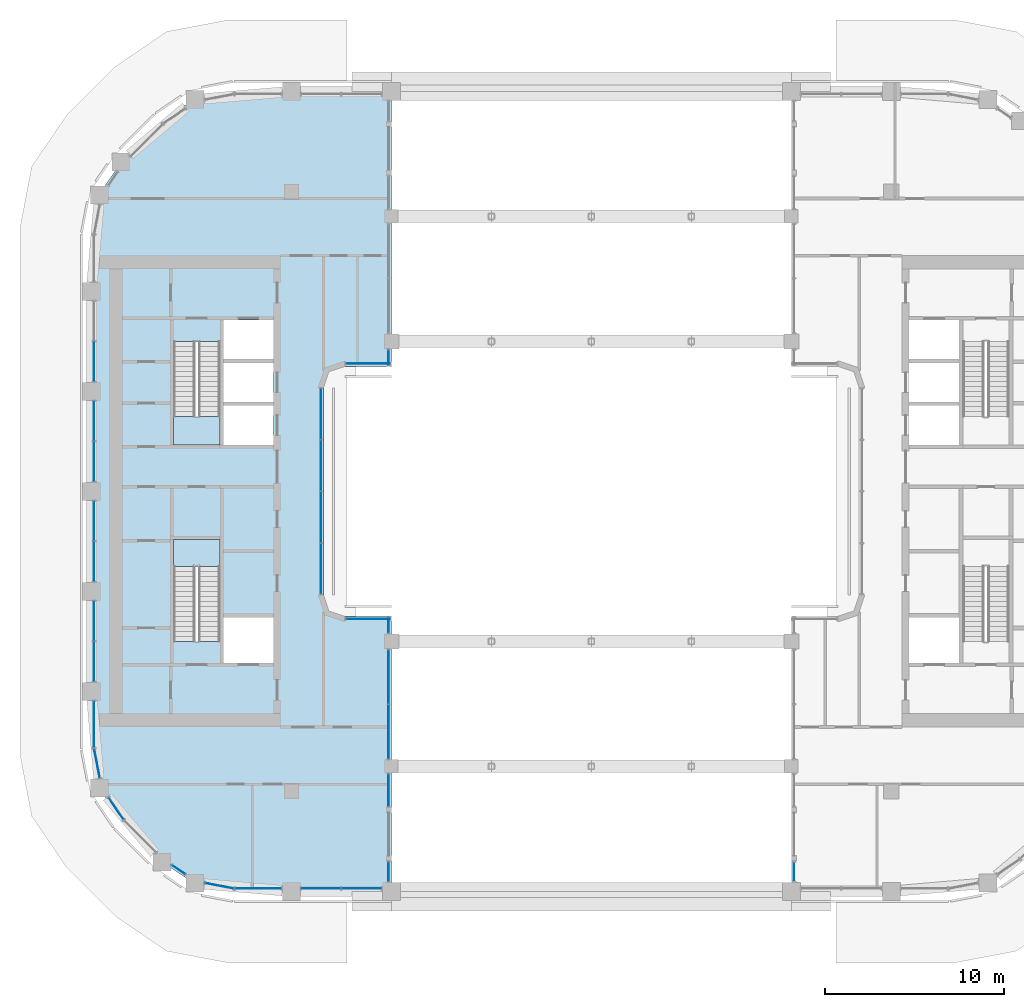
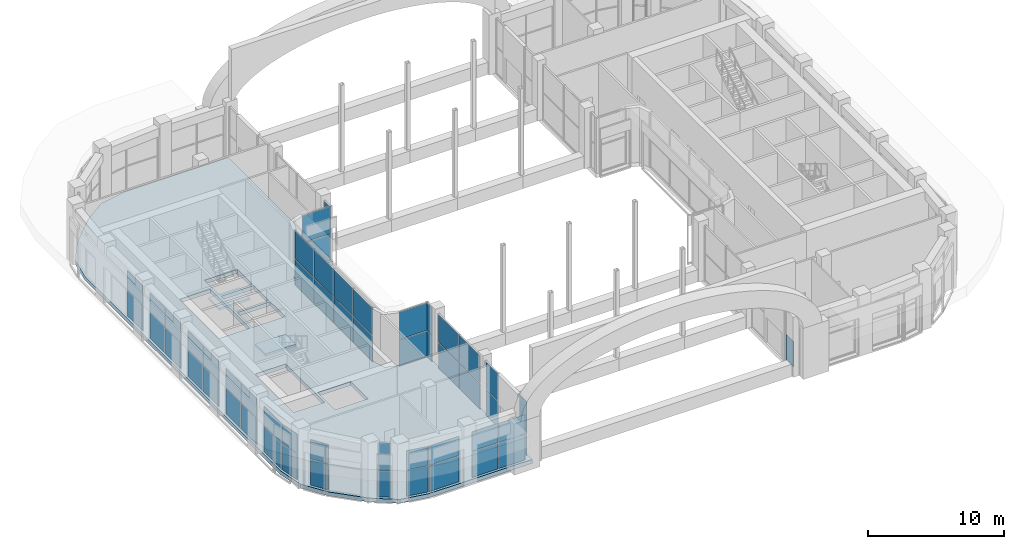
# One storey, part 12 of 28: 55 plates, 3 slabs, 22 elements without a shape of their own.
"""IFC4 building model written with IfcOpenShell, lengths in metres."""

from ifc_helpers import new_model, si_unit, direction, frame, origin, origin_2d, place, context, subcontext, project, spatial, polyline, rectangle, outline, extrude, material, layer, layer_set, type_object, element, aggregate, save


model = new_model("IFC4")

# Units and contexts
model_context = context("Model", 3, precision=1e-05, world=origin(), true_north=direction((0.0, 1.0)))
body_context = subcontext(model_context, "Body", "Model", "MODEL_VIEW")
ifc_project = project(units=[si_unit("LENGTHUNIT", "METRE"), si_unit("AREAUNIT", "SQUARE_METRE"), si_unit("VOLUMEUNIT", "CUBIC_METRE"), si_unit("PLANEANGLEUNIT", "RADIAN"), si_unit("MASSUNIT", "GRAM", prefix="KILO")], contexts=[model_context])

# Site, building, storey
site_placement = place(None, origin())
site = spatial("IfcSite", under=ifc_project, at=site_placement, CompositionType="ELEMENT")
building_placement = place(site_placement, origin())
building = spatial("IfcBuilding", under=site, at=building_placement, Name="Kiln Ring Residences", CompositionType="ELEMENT")
storey_placement = place(building_placement, frame((0.0, 0.0, 178.10009765625)))
storey = spatial("IfcBuildingStorey", under=building, at=storey_placement, Name="L46", CompositionType="ELEMENT", Elevation=178.10009765625)

# Stair, slab
ifc_material_1 = material(Name="Concrete C40/50", Category="concrete")
stair_type = type_object("IfcStairType", Name="CORE-STAIR", PredefinedType="HALF_TURN_STAIR", material=ifc_material_1)
placement_1 = place(storey_placement, origin())
stair_1 = element("IfcStair", 1, at=placement_1, inside=storey, type_object=stair_type, Name="L46 stair W-STN", PredefinedType="HALF_TURN_STAIR")
ifc_material_2 = material(Name="Concrete C40/50", Category="concrete")
ifc_layer_1 = layer(ifc_material_2, 0.199951171875)
ifc_layer_set_1 = layer_set([ifc_layer_1], Name="CORE-STAIR-LANDING")
slab_type_1 = type_object("IfcSlabType", Name="CORE-STAIR-LANDING", PredefinedType="LANDING", material=ifc_layer_set_1)
placement_2 = place(storey_placement, frame((0.0, 0.0, 2.5)))
slab_1 = element("IfcSlab", 2, at=placement_2, type_object=slab_type_1, Name="W-STN landing 1", PredefinedType="LANDING", context=body_context, shape_type="SweptSolid", body=[
    extrude(outline(polyline([(-23.39990234375, 4.199951171875), (-23.39990234375, 2.60009765625), (-20.800048828125, 2.60009765625), (-20.800048828125, 4.199951171875), (-23.39990234375, 4.199951171875)])), origin(), (0.0, 0.0, 1.0), 0.199951171875),
])
aggregate(stair_1, [slab_1])

stair_2 = element("IfcStair", 3, at=placement_1, inside=storey, type_object=stair_type, Name="L46 stair W-STS", PredefinedType="HALF_TURN_STAIR")
slab_2 = element("IfcSlab", 4, at=placement_2, type_object=slab_type_1, Name="W-STS landing 1", PredefinedType="LANDING", context=body_context, shape_type="SweptSolid", body=[
    extrude(outline(polyline([(-20.800048828125, -4.199951171875), (-20.800048828125, -2.699951171875), (-23.39990234375, -2.699951171875), (-23.39990234375, -4.199951171875), (-20.800048828125, -4.199951171875)])), origin(), (0.0, 0.0, 1.0), 0.199951171875),
])
aggregate(stair_2, [slab_2])

# Curtain wall, plates
ifc_material_3 = material(Name="Aluminium and glass", Category="aluminium")
ifc_layer_2 = layer(ifc_material_3, 0.199951171875)
ifc_layer_set_2 = layer_set([ifc_layer_2], Name="CW1 CURTAIN WALL")
curtain_wall_type = type_object("IfcCurtainWallType", Name="CW1 CURTAIN WALL", PredefinedType="NOTDEFINED", material=ifc_layer_set_2)
curtain_wall_1 = element("IfcCurtainWall", 5, at=placement_1, inside=storey, type_object=curtain_wall_type, Name="Curtain wall CW1 L46", PredefinedType="NOTDEFINED")
ifc_material_4 = material(Name="Glass, low-e laminated", Category="glass")
ifc_layer_3 = layer(ifc_material_4, 0.028076171875)
ifc_layer_set_3 = layer_set([ifc_layer_3], Name="CW1 PANEL 28")
plate_type = type_object("IfcPlateType", Name="CW1 PANEL 28", PredefinedType="CURTAIN_PANEL", material=ifc_layer_set_3)
plate_1_placement = place(storey_placement, frame((-27.688232421875, -15.234375, 0.059814453125), z_axis=(0.0, 0.0, 1.0), x_axis=(0.187365550227, -0.98229025781, 0.0)))
plate_1 = element("IfcPlate", 6, at=plate_1_placement, type_object=plate_type, Name="CW1 panel 1.1", PredefinedType="CURTAIN_PANEL", context=body_context, shape_type="SweptSolid", body=[
    extrude(rectangle(XDim=1.63623046875, YDim=0.028076171875, at=origin_2d()), origin(), (0.0, 0.0, 1.0), 2.31005859375),
])
plate_2_placement = place(storey_placement, frame((-27.688232421875, -15.234375, 2.429931640625), z_axis=(0.0, 0.0, 1.0), x_axis=(0.187365550227, -0.98229025781, 0.0)))
plate_2 = element("IfcPlate", 7, at=plate_2_placement, type_object=plate_type, Name="CW1 panel 1.2", PredefinedType="CURTAIN_PANEL", context=body_context, shape_type="SweptSolid", body=[
    extrude(rectangle(XDim=1.63623046875, YDim=0.028076171875, at=origin_2d()), origin(), (0.0, 0.0, 1.0), 1.7099609375),
])
aggregate(curtain_wall_1, [plate_1, plate_2])

curtain_wall_2 = element("IfcCurtainWall", 8, at=placement_1, inside=storey, type_object=curtain_wall_type, Name="Curtain wall CW1 L46", PredefinedType="NOTDEFINED")
plate_3_placement = place(storey_placement, frame((-26.6220703125, -17.7607421875, 0.059814453125), z_axis=(0.0, 0.0, 1.0), x_axis=(0.562096651438, -0.827071553399, 0.0)))
plate_3 = element("IfcPlate", 9, at=plate_3_placement, type_object=plate_type, Name="CW1 panel 1.1", PredefinedType="CURTAIN_PANEL", context=body_context, shape_type="SweptSolid", body=[
    extrude(rectangle(XDim=1.456787109375, YDim=0.028076171875, at=origin_2d()), origin(), (0.0, 0.0, 1.0), 2.31005859375),
])
plate_4_placement = place(storey_placement, frame((-26.6220703125, -17.7607421875, 2.429931640625), z_axis=(0.0, 0.0, 1.0), x_axis=(0.562096651438, -0.827071553399, 0.0)))
plate_4 = element("IfcPlate", 10, at=plate_4_placement, type_object=plate_type, Name="CW1 panel 1.2", PredefinedType="CURTAIN_PANEL", context=body_context, shape_type="SweptSolid", body=[
    extrude(rectangle(XDim=1.456787109375, YDim=0.028076171875, at=origin_2d()), origin(), (0.0, 0.0, 1.0), 1.7099609375),
])
aggregate(curtain_wall_2, [plate_3, plate_4])

curtain_wall_3 = element("IfcCurtainWall", 11, at=placement_1, inside=storey, type_object=curtain_wall_type, Name="Curtain wall CW1 L46", PredefinedType="NOTDEFINED")
plate_5_placement = place(storey_placement, frame((-23.121337890625, -21.184814453125, 0.059814453125), z_axis=(0.0, 0.0, 1.0), x_axis=(0.827071553409, -0.562096651423, 0.0)))
plate_5 = element("IfcPlate", 12, at=plate_5_placement, type_object=plate_type, Name="CW1 panel 1.1", PredefinedType="CURTAIN_PANEL", context=body_context, shape_type="SweptSolid", body=[
    extrude(rectangle(XDim=0.877685546875, YDim=0.028076171875, at=origin_2d()), origin(), (0.0, 0.0, 1.0), 2.31005859375),
])
plate_6_placement = place(storey_placement, frame((-23.121337890625, -21.184814453125, 2.429931640625), z_axis=(0.0, 0.0, 1.0), x_axis=(0.827071553409, -0.562096651423, 0.0)))
plate_6 = element("IfcPlate", 13, at=plate_6_placement, type_object=plate_type, Name="CW1 panel 1.2", PredefinedType="CURTAIN_PANEL", context=body_context, shape_type="SweptSolid", body=[
    extrude(rectangle(XDim=0.877685546875, YDim=0.028076171875, at=origin_2d()), origin(), (0.0, 0.0, 1.0), 2.4599609375),
])
aggregate(curtain_wall_3, [plate_5, plate_6])

curtain_wall_4 = element("IfcCurtainWall", 14, at=placement_1, inside=storey, type_object=curtain_wall_type, Name="Curtain wall CW1 L46", PredefinedType="NOTDEFINED")
plate_7_placement = place(storey_placement, frame((-20.83447265625, -22.088134765625, 0.059814453125), z_axis=(0.0, 0.0, 1.0), x_axis=(0.98229025781, -0.187365550227, 0.0)))
plate_7 = element("IfcPlate", 15, at=plate_7_placement, type_object=plate_type, Name="CW1 panel 1.1", PredefinedType="CURTAIN_PANEL", context=body_context, shape_type="SweptSolid", body=[
    extrude(rectangle(XDim=1.63623046875, YDim=0.028076171875, at=origin_2d()), origin(), (0.0, 0.0, 1.0), 2.31005859375),
])
plate_8_placement = place(storey_placement, frame((-20.83447265625, -22.088134765625, 2.429931640625), z_axis=(0.0, 0.0, 1.0), x_axis=(0.98229025781, -0.187365550227, 0.0)))
plate_8 = element("IfcPlate", 16, at=plate_8_placement, type_object=plate_type, Name="CW1 panel 1.2", PredefinedType="CURTAIN_PANEL", context=body_context, shape_type="SweptSolid", body=[
    extrude(rectangle(XDim=1.63623046875, YDim=0.028076171875, at=origin_2d()), origin(), (0.0, 0.0, 1.0), 1.7099609375),
])
aggregate(curtain_wall_4, [plate_7, plate_8])

curtain_wall_5 = element("IfcCurtainWall", 17, at=placement_1, inside=storey, type_object=curtain_wall_type, Name="Curtain wall CW1 L46", PredefinedType="NOTDEFINED")
plate_9_placement = place(storey_placement, frame((-18.64990234375, -22.25, 0.059814453125), z_axis=(0.0, 0.0, 1.0), x_axis=(1.0, 0.0, 0.0)))
plate_9 = element("IfcPlate", 18, at=plate_9_placement, type_object=plate_type, Name="CW1 panel 1.1", PredefinedType="CURTAIN_PANEL", context=body_context, shape_type="SweptSolid", body=[
    extrude(rectangle(XDim=2.580078125, YDim=0.028076171875, at=origin_2d()), origin(), (0.0, 0.0, 1.0), 2.31005859375),
])
plate_10_placement = place(storey_placement, frame((-18.64990234375, -22.25, 2.429931640625), z_axis=(0.0, 0.0, 1.0), x_axis=(1.0, 0.0, 0.0)))
plate_10 = element("IfcPlate", 19, at=plate_10_placement, type_object=plate_type, Name="CW1 panel 1.2", PredefinedType="CURTAIN_PANEL", context=body_context, shape_type="SweptSolid", body=[
    extrude(rectangle(XDim=2.580078125, YDim=0.028076171875, at=origin_2d()), origin(), (0.0, 0.0, 1.0), 1.7099609375),
])
aggregate(curtain_wall_5, [plate_9, plate_10])

curtain_wall_6 = element("IfcCurtainWall", 20, at=placement_1, inside=storey, type_object=curtain_wall_type, Name="Curtain wall CW1 L46", PredefinedType="NOTDEFINED")
plate_11_placement = place(storey_placement, frame((-15.135009765625, -22.25, 0.059814453125), z_axis=(0.0, 0.0, 1.0), x_axis=(1.0, 0.0, 0.0)))
plate_11 = element("IfcPlate", 21, at=plate_11_placement, type_object=plate_type, Name="CW1 panel 1.1", PredefinedType="CURTAIN_PANEL", context=body_context, shape_type="SweptSolid", body=[
    extrude(rectangle(XDim=2.2099609375, YDim=0.028076171875, at=origin_2d()), origin(), (0.0, 0.0, 1.0), 2.31005859375),
])
plate_12_placement = place(storey_placement, frame((-15.135009765625, -22.25, 2.429931640625), z_axis=(0.0, 0.0, 1.0), x_axis=(1.0, 0.0, 0.0)))
plate_12 = element("IfcPlate", 22, at=plate_12_placement, type_object=plate_type, Name="CW1 panel 1.2", PredefinedType="CURTAIN_PANEL", context=body_context, shape_type="SweptSolid", body=[
    extrude(rectangle(XDim=2.2099609375, YDim=0.028076171875, at=origin_2d()), origin(), (0.0, 0.0, 1.0), 1.7099609375),
])
plate_13_placement = place(storey_placement, frame((-12.864990234375, -22.25, 0.059814453125), z_axis=(0.0, 0.0, 1.0), x_axis=(1.0, 0.0, 0.0)))
plate_13 = element("IfcPlate", 23, at=plate_13_placement, type_object=plate_type, Name="CW1 panel 2.1", PredefinedType="CURTAIN_PANEL", context=body_context, shape_type="SweptSolid", body=[
    extrude(rectangle(XDim=2.2099609375, YDim=0.028076171875, at=origin_2d()), origin(), (0.0, 0.0, 1.0), 2.31005859375),
])
plate_14_placement = place(storey_placement, frame((-12.864990234375, -22.25, 2.429931640625), z_axis=(0.0, 0.0, 1.0), x_axis=(1.0, 0.0, 0.0)))
plate_14 = element("IfcPlate", 24, at=plate_14_placement, type_object=plate_type, Name="CW1 panel 2.2", PredefinedType="CURTAIN_PANEL", context=body_context, shape_type="SweptSolid", body=[
    extrude(rectangle(XDim=2.2099609375, YDim=0.028076171875, at=origin_2d()), origin(), (0.0, 0.0, 1.0), 1.7099609375),
])
aggregate(curtain_wall_6, [plate_11, plate_12, plate_13, plate_14])

curtain_wall_7 = element("IfcCurtainWall", 25, at=placement_1, inside=storey, type_object=curtain_wall_type, Name="Curtain wall CW1 L46", PredefinedType="NOTDEFINED")
plate_15_placement = place(storey_placement, frame((-11.35009765625, -21.300048828125, 0.059814453125), z_axis=(0.0, 0.0, 1.0), x_axis=(0.0, 1.0, 0.0)))
plate_15 = element("IfcPlate", 26, at=plate_15_placement, type_object=plate_type, Name="CW1 panel 1.1", PredefinedType="CURTAIN_PANEL", context=body_context, shape_type="SweptSolid", body=[
    extrude(rectangle(XDim=1.080078125, YDim=0.028076171875, at=origin_2d()), origin(), (0.0, 0.0, 1.0), 2.31005859375),
])
plate_16_placement = place(storey_placement, frame((-11.35009765625, -21.300048828125, 2.429931640625), z_axis=(0.0, 0.0, 1.0), x_axis=(0.0, 1.0, 0.0)))
plate_16 = element("IfcPlate", 27, at=plate_16_placement, type_object=plate_type, Name="CW1 panel 1.2", PredefinedType="CURTAIN_PANEL", context=body_context, shape_type="SweptSolid", body=[
    extrude(rectangle(XDim=1.080078125, YDim=0.028076171875, at=origin_2d()), origin(), (0.0, 0.0, 1.0), 2.4599609375),
])
aggregate(curtain_wall_7, [plate_15, plate_16])

curtain_wall_8 = element("IfcCurtainWall", 28, at=placement_1, inside=storey, type_object=curtain_wall_type, Name="Curtain wall CW1 L46", PredefinedType="NOTDEFINED")
plate_17_placement = place(storey_placement, frame((-11.35009765625, -16.737548828125, 0.059814453125), z_axis=(0.0, 0.0, 1.0), x_axis=(0.0, 1.0, 0.0)))
plate_17 = element("IfcPlate", 29, at=plate_17_placement, type_object=plate_type, Name="CW1 panel 1.1", PredefinedType="CURTAIN_PANEL", context=body_context, shape_type="SweptSolid", body=[
    extrude(rectangle(XDim=1.804931640625, YDim=0.028076171875, at=origin_2d()), origin(), (0.0, 0.0, 1.0), 2.31005859375),
])
plate_18_placement = place(storey_placement, frame((-11.35009765625, -16.737548828125, 2.429931640625), z_axis=(0.0, 0.0, 1.0), x_axis=(0.0, 1.0, 0.0)))
plate_18 = element("IfcPlate", 30, at=plate_18_placement, type_object=plate_type, Name="CW1 panel 1.2", PredefinedType="CURTAIN_PANEL", context=body_context, shape_type="SweptSolid", body=[
    extrude(rectangle(XDim=1.804931640625, YDim=0.028076171875, at=origin_2d()), origin(), (0.0, 0.0, 1.0), 2.4599609375),
])
aggregate(curtain_wall_8, [plate_17, plate_18])

curtain_wall_9 = element("IfcCurtainWall", 31, at=placement_1, inside=storey, type_object=curtain_wall_type, Name="Curtain wall CW1 L46", PredefinedType="NOTDEFINED")
plate_19_placement = place(storey_placement, frame((-11.35009765625, -13.4599609375, 0.059814453125), z_axis=(0.0, 0.0, 1.0), x_axis=(0.0, 1.0, 0.0)))
plate_19 = element("IfcPlate", 32, at=plate_19_placement, type_object=plate_type, Name="CW1 panel 1.1", PredefinedType="CURTAIN_PANEL", context=body_context, shape_type="SweptSolid", body=[
    extrude(rectangle(XDim=3.010009765625, YDim=0.028076171875, at=origin_2d()), origin(), (0.0, 0.0, 1.0), 2.31005859375),
])
plate_20_placement = place(storey_placement, frame((-11.35009765625, -13.4599609375, 2.429931640625), z_axis=(0.0, 0.0, 1.0), x_axis=(0.0, 1.0, 0.0)))
plate_20 = element("IfcPlate", 33, at=plate_20_placement, type_object=plate_type, Name="CW1 panel 1.2", PredefinedType="CURTAIN_PANEL", context=body_context, shape_type="SweptSolid", body=[
    extrude(rectangle(XDim=3.010009765625, YDim=0.028076171875, at=origin_2d()), origin(), (0.0, 0.0, 1.0), 2.4599609375),
])
plate_21_placement = place(storey_placement, frame((-11.35009765625, -10.389892578125, 0.059814453125), z_axis=(0.0, 0.0, 1.0), x_axis=(0.0, 1.0, 0.0)))
plate_21 = element("IfcPlate", 34, at=plate_21_placement, type_object=plate_type, Name="CW1 panel 2.1", PredefinedType="CURTAIN_PANEL", context=body_context, shape_type="SweptSolid", body=[
    extrude(rectangle(XDim=3.010009765625, YDim=0.028076171875, at=origin_2d()), origin(), (0.0, 0.0, 1.0), 2.31005859375),
])
plate_22_placement = place(storey_placement, frame((-11.35009765625, -10.389892578125, 2.429931640625), z_axis=(0.0, 0.0, 1.0), x_axis=(0.0, 1.0, 0.0)))
plate_22 = element("IfcPlate", 35, at=plate_22_placement, type_object=plate_type, Name="CW1 panel 2.2", PredefinedType="CURTAIN_PANEL", context=body_context, shape_type="SweptSolid", body=[
    extrude(rectangle(XDim=3.010009765625, YDim=0.028076171875, at=origin_2d()), origin(), (0.0, 0.0, 1.0), 2.4599609375),
])
aggregate(curtain_wall_9, [plate_19, plate_20, plate_21, plate_22])

curtain_wall_10 = element("IfcCurtainWall", 36, at=placement_1, inside=storey, type_object=curtain_wall_type, Name="Curtain wall CW1 L46", PredefinedType="NOTDEFINED")
plate_23_placement = place(storey_placement, frame((-11.35009765625, -7.487548828125, 0.059814453125), z_axis=(0.0, 0.0, 1.0), x_axis=(0.0, 1.0, 0.0)))
plate_23 = element("IfcPlate", 37, at=plate_23_placement, type_object=plate_type, Name="CW1 panel 1.1", PredefinedType="CURTAIN_PANEL", context=body_context, shape_type="SweptSolid", body=[
    extrude(rectangle(XDim=0.85498046875, YDim=0.028076171875, at=origin_2d()), origin(), (0.0, 0.0, 1.0), 2.31005859375),
])
plate_24_placement = place(storey_placement, frame((-11.35009765625, -7.487548828125, 2.429931640625), z_axis=(0.0, 0.0, 1.0), x_axis=(0.0, 1.0, 0.0)))
plate_24 = element("IfcPlate", 38, at=plate_24_placement, type_object=plate_type, Name="CW1 panel 1.2", PredefinedType="CURTAIN_PANEL", context=body_context, shape_type="SweptSolid", body=[
    extrude(rectangle(XDim=0.85498046875, YDim=0.028076171875, at=origin_2d()), origin(), (0.0, 0.0, 1.0), 2.4599609375),
])
aggregate(curtain_wall_10, [plate_23, plate_24])

curtain_wall_11 = element("IfcCurtainWall", 39, at=placement_1, inside=storey, type_object=curtain_wall_type, Name="Curtain wall CW1 L46", PredefinedType="NOTDEFINED")
plate_25_placement = place(storey_placement, frame((-12.5, -7.14990234375, 0.059814453125), z_axis=(0.0, 0.0, 1.0), x_axis=(-1.0, 0.0, 0.0)))
plate_25 = element("IfcPlate", 40, at=plate_25_placement, type_object=plate_type, Name="CW1 panel 1.1", PredefinedType="CURTAIN_PANEL", context=body_context, shape_type="SweptSolid", body=[
    extrude(rectangle(XDim=2.47998046875, YDim=0.028076171875, at=origin_2d()), origin(), (0.0, 0.0, 1.0), 2.31005859375),
])
plate_26_placement = place(storey_placement, frame((-12.5, -7.14990234375, 2.429931640625), z_axis=(0.0, 0.0, 1.0), x_axis=(-1.0, 0.0, 0.0)))
plate_26 = element("IfcPlate", 41, at=plate_26_placement, type_object=plate_type, Name="CW1 panel 1.2", PredefinedType="CURTAIN_PANEL", context=body_context, shape_type="SweptSolid", body=[
    extrude(rectangle(XDim=2.47998046875, YDim=0.028076171875, at=origin_2d()), origin(), (0.0, 0.0, 1.0), 2.4599609375),
])
aggregate(curtain_wall_11, [plate_25, plate_26])

curtain_wall_12 = element("IfcCurtainWall", 42, at=placement_1, inside=storey, type_object=curtain_wall_type, Name="Curtain wall CW1 L46", PredefinedType="NOTDEFINED")
plate_27_placement = place(storey_placement, frame((-15.14990234375, -4.3349609375, 0.059814453125), z_axis=(0.0, 0.0, 1.0), x_axis=(0.0, 1.0, 0.0)))
plate_27 = element("IfcPlate", 43, at=plate_27_placement, type_object=plate_type, Name="CW1 panel 1.1", PredefinedType="CURTAIN_PANEL", context=body_context, shape_type="SweptSolid", body=[
    extrude(rectangle(XDim=2.81005859375, YDim=0.028076171875, at=origin_2d()), origin(), (0.0, 0.0, 1.0), 2.31005859375),
])
plate_28_placement = place(storey_placement, frame((-15.14990234375, -4.3349609375, 2.429931640625), z_axis=(0.0, 0.0, 1.0), x_axis=(0.0, 1.0, 0.0)))
plate_28 = element("IfcPlate", 44, at=plate_28_placement, type_object=plate_type, Name="CW1 panel 1.2", PredefinedType="CURTAIN_PANEL", context=body_context, shape_type="SweptSolid", body=[
    extrude(rectangle(XDim=2.81005859375, YDim=0.028076171875, at=origin_2d()), origin(), (0.0, 0.0, 1.0), 2.4599609375),
])
plate_29_placement = place(storey_placement, frame((-15.14990234375, -1.449951171875, 0.059814453125), z_axis=(0.0, 0.0, 1.0), x_axis=(0.0, 1.0, 0.0)))
plate_29 = element("IfcPlate", 45, at=plate_29_placement, type_object=plate_type, Name="CW1 panel 2.1", PredefinedType="CURTAIN_PANEL", context=body_context, shape_type="SweptSolid", body=[
    extrude(rectangle(XDim=2.840087890625, YDim=0.028076171875, at=origin_2d()), origin(), (0.0, 0.0, 1.0), 2.31005859375),
])
plate_30_placement = place(storey_placement, frame((-15.14990234375, -1.449951171875, 2.429931640625), z_axis=(0.0, 0.0, 1.0), x_axis=(0.0, 1.0, 0.0)))
plate_30 = element("IfcPlate", 46, at=plate_30_placement, type_object=plate_type, Name="CW1 panel 2.2", PredefinedType="CURTAIN_PANEL", context=body_context, shape_type="SweptSolid", body=[
    extrude(rectangle(XDim=2.840087890625, YDim=0.028076171875, at=origin_2d()), origin(), (0.0, 0.0, 1.0), 2.4599609375),
])
plate_31_placement = place(storey_placement, frame((-15.14990234375, 1.449951171875, 0.059814453125), z_axis=(0.0, 0.0, 1.0), x_axis=(0.0, 1.0, 0.0)))
plate_31 = element("IfcPlate", 47, at=plate_31_placement, type_object=plate_type, Name="CW1 panel 3.1", PredefinedType="CURTAIN_PANEL", context=body_context, shape_type="SweptSolid", body=[
    extrude(rectangle(XDim=2.840087890625, YDim=0.028076171875, at=origin_2d()), origin(), (0.0, 0.0, 1.0), 2.31005859375),
])
plate_32_placement = place(storey_placement, frame((-15.14990234375, 1.449951171875, 2.429931640625), z_axis=(0.0, 0.0, 1.0), x_axis=(0.0, 1.0, 0.0)))
plate_32 = element("IfcPlate", 48, at=plate_32_placement, type_object=plate_type, Name="CW1 panel 3.2", PredefinedType="CURTAIN_PANEL", context=body_context, shape_type="SweptSolid", body=[
    extrude(rectangle(XDim=2.840087890625, YDim=0.028076171875, at=origin_2d()), origin(), (0.0, 0.0, 1.0), 2.4599609375),
])
plate_33_placement = place(storey_placement, frame((-15.14990234375, 4.3349609375, 0.059814453125), z_axis=(0.0, 0.0, 1.0), x_axis=(0.0, 1.0, 0.0)))
plate_33 = element("IfcPlate", 49, at=plate_33_placement, type_object=plate_type, Name="CW1 panel 4.1", PredefinedType="CURTAIN_PANEL", context=body_context, shape_type="SweptSolid", body=[
    extrude(rectangle(XDim=2.81005859375, YDim=0.028076171875, at=origin_2d()), origin(), (0.0, 0.0, 1.0), 2.31005859375),
])
plate_34_placement = place(storey_placement, frame((-15.14990234375, 4.3349609375, 2.429931640625), z_axis=(0.0, 0.0, 1.0), x_axis=(0.0, 1.0, 0.0)))
plate_34 = element("IfcPlate", 50, at=plate_34_placement, type_object=plate_type, Name="CW1 panel 4.2", PredefinedType="CURTAIN_PANEL", context=body_context, shape_type="SweptSolid", body=[
    extrude(rectangle(XDim=2.81005859375, YDim=0.028076171875, at=origin_2d()), origin(), (0.0, 0.0, 1.0), 2.4599609375),
])
aggregate(curtain_wall_12, [plate_27, plate_28, plate_29, plate_30, plate_31, plate_32, plate_33, plate_34])

curtain_wall_13 = element("IfcCurtainWall", 51, at=placement_1, inside=storey, type_object=curtain_wall_type, Name="Curtain wall CW1 L46", PredefinedType="NOTDEFINED")
plate_35_placement = place(storey_placement, frame((-12.5, 7.14990234375, 0.059814453125), z_axis=(0.0, 0.0, 1.0), x_axis=(1.0, 0.0, 0.0)))
plate_35 = element("IfcPlate", 52, at=plate_35_placement, type_object=plate_type, Name="CW1 panel 1.1", PredefinedType="CURTAIN_PANEL", context=body_context, shape_type="SweptSolid", body=[
    extrude(rectangle(XDim=2.47998046875, YDim=0.028076171875, at=origin_2d()), origin(), (0.0, 0.0, 1.0), 2.31005859375),
])
plate_36_placement = place(storey_placement, frame((-12.5, 7.14990234375, 2.429931640625), z_axis=(0.0, 0.0, 1.0), x_axis=(1.0, 0.0, 0.0)))
plate_36 = element("IfcPlate", 53, at=plate_36_placement, type_object=plate_type, Name="CW1 panel 1.2", PredefinedType="CURTAIN_PANEL", context=body_context, shape_type="SweptSolid", body=[
    extrude(rectangle(XDim=2.47998046875, YDim=0.028076171875, at=origin_2d()), origin(), (0.0, 0.0, 1.0), 2.4599609375),
])
aggregate(curtain_wall_13, [plate_35, plate_36])

curtain_wall_14 = element("IfcCurtainWall", 54, at=placement_1, inside=storey, type_object=curtain_wall_type, Name="Curtain wall CW1 L46", PredefinedType="NOTDEFINED")
plate_37_placement = place(storey_placement, frame((-11.35009765625, 7.487548828125, 0.059814453125), z_axis=(0.0, 0.0, 1.0), x_axis=(0.0, 1.0, 0.0)))
plate_37 = element("IfcPlate", 55, at=plate_37_placement, type_object=plate_type, Name="CW1 panel 1.1", PredefinedType="CURTAIN_PANEL", context=body_context, shape_type="SweptSolid", body=[
    extrude(rectangle(XDim=0.85498046875, YDim=0.028076171875, at=origin_2d()), origin(), (0.0, 0.0, 1.0), 2.31005859375),
])
plate_38_placement = place(storey_placement, frame((-11.35009765625, 7.487548828125, 2.429931640625), z_axis=(0.0, 0.0, 1.0), x_axis=(0.0, 1.0, 0.0)))
plate_38 = element("IfcPlate", 56, at=plate_38_placement, type_object=plate_type, Name="CW1 panel 1.2", PredefinedType="CURTAIN_PANEL", context=body_context, shape_type="SweptSolid", body=[
    extrude(rectangle(XDim=0.85498046875, YDim=0.028076171875, at=origin_2d()), origin(), (0.0, 0.0, 1.0), 2.4599609375),
])
aggregate(curtain_wall_14, [plate_37, plate_38])

curtain_wall_15 = element("IfcCurtainWall", 57, at=placement_1, inside=storey, type_object=curtain_wall_type, Name="Curtain wall CW1 L46", PredefinedType="NOTDEFINED")
plate_39_placement = place(storey_placement, frame((-27.85009765625, 7.264892578125, 0.059814453125), z_axis=(0.0, 0.0, 1.0), x_axis=(0.0, -1.0, 0.0)))
plate_39 = element("IfcPlate", 58, at=plate_39_placement, type_object=plate_type, Name="CW1 panel 2.1", PredefinedType="CURTAIN_PANEL", context=body_context, shape_type="SweptSolid", body=[
    extrude(rectangle(XDim=2.2099609375, YDim=0.028076171875, at=origin_2d()), origin(), (0.0, 0.0, 1.0), 2.31005859375),
])
plate_40_placement = place(storey_placement, frame((-27.85009765625, 7.264892578125, 2.429931640625), z_axis=(0.0, 0.0, 1.0), x_axis=(0.0, -1.0, 0.0)))
plate_40 = element("IfcPlate", 59, at=plate_40_placement, type_object=plate_type, Name="CW1 panel 2.2", PredefinedType="CURTAIN_PANEL", context=body_context, shape_type="SweptSolid", body=[
    extrude(rectangle(XDim=2.2099609375, YDim=0.028076171875, at=origin_2d()), origin(), (0.0, 0.0, 1.0), 1.7099609375),
])
aggregate(curtain_wall_15, [plate_39, plate_40])

curtain_wall_16 = element("IfcCurtainWall", 60, at=placement_1, inside=storey, type_object=curtain_wall_type, Name="Curtain wall CW1 L46", PredefinedType="NOTDEFINED")
plate_41_placement = place(storey_placement, frame((-27.85009765625, 3.93505859375, 0.059814453125), z_axis=(0.0, 0.0, 1.0), x_axis=(0.0, -1.0, 0.0)))
plate_41 = element("IfcPlate", 61, at=plate_41_placement, type_object=plate_type, Name="CW1 panel 1.1", PredefinedType="CURTAIN_PANEL", context=body_context, shape_type="SweptSolid", body=[
    extrude(rectangle(XDim=2.2099609375, YDim=0.028076171875, at=origin_2d()), origin(), (0.0, 0.0, 1.0), 2.31005859375),
])
plate_42_placement = place(storey_placement, frame((-27.85009765625, 3.93505859375, 2.429931640625), z_axis=(0.0, 0.0, 1.0), x_axis=(0.0, -1.0, 0.0)))
plate_42 = element("IfcPlate", 62, at=plate_42_placement, type_object=plate_type, Name="CW1 panel 1.2", PredefinedType="CURTAIN_PANEL", context=body_context, shape_type="SweptSolid", body=[
    extrude(rectangle(XDim=2.2099609375, YDim=0.028076171875, at=origin_2d()), origin(), (0.0, 0.0, 1.0), 1.7099609375),
])
plate_43_placement = place(storey_placement, frame((-27.85009765625, 1.6650390625, 0.059814453125), z_axis=(0.0, 0.0, 1.0), x_axis=(0.0, -1.0, 0.0)))
plate_43 = element("IfcPlate", 63, at=plate_43_placement, type_object=plate_type, Name="CW1 panel 2.1", PredefinedType="CURTAIN_PANEL", context=body_context, shape_type="SweptSolid", body=[
    extrude(rectangle(XDim=2.2099609375, YDim=0.028076171875, at=origin_2d()), origin(), (0.0, 0.0, 1.0), 2.31005859375),
])
plate_44_placement = place(storey_placement, frame((-27.85009765625, 1.6650390625, 2.429931640625), z_axis=(0.0, 0.0, 1.0), x_axis=(0.0, -1.0, 0.0)))
plate_44 = element("IfcPlate", 64, at=plate_44_placement, type_object=plate_type, Name="CW1 panel 2.2", PredefinedType="CURTAIN_PANEL", context=body_context, shape_type="SweptSolid", body=[
    extrude(rectangle(XDim=2.2099609375, YDim=0.028076171875, at=origin_2d()), origin(), (0.0, 0.0, 1.0), 1.7099609375),
])
aggregate(curtain_wall_16, [plate_41, plate_42, plate_43, plate_44])

curtain_wall_17 = element("IfcCurtainWall", 65, at=placement_1, inside=storey, type_object=curtain_wall_type, Name="Curtain wall CW1 L46", PredefinedType="NOTDEFINED")
plate_45_placement = place(storey_placement, frame((-27.85009765625, -1.6650390625, 0.059814453125), z_axis=(0.0, 0.0, 1.0), x_axis=(0.0, -1.0, 0.0)))
plate_45 = element("IfcPlate", 66, at=plate_45_placement, type_object=plate_type, Name="CW1 panel 1.1", PredefinedType="CURTAIN_PANEL", context=body_context, shape_type="SweptSolid", body=[
    extrude(rectangle(XDim=2.2099609375, YDim=0.028076171875, at=origin_2d()), origin(), (0.0, 0.0, 1.0), 2.31005859375),
])
plate_46_placement = place(storey_placement, frame((-27.85009765625, -1.6650390625, 2.429931640625), z_axis=(0.0, 0.0, 1.0), x_axis=(0.0, -1.0, 0.0)))
plate_46 = element("IfcPlate", 67, at=plate_46_placement, type_object=plate_type, Name="CW1 panel 1.2", PredefinedType="CURTAIN_PANEL", context=body_context, shape_type="SweptSolid", body=[
    extrude(rectangle(XDim=2.2099609375, YDim=0.028076171875, at=origin_2d()), origin(), (0.0, 0.0, 1.0), 1.7099609375),
])
plate_47_placement = place(storey_placement, frame((-27.85009765625, -3.93505859375, 0.059814453125), z_axis=(0.0, 0.0, 1.0), x_axis=(0.0, -1.0, 0.0)))
plate_47 = element("IfcPlate", 68, at=plate_47_placement, type_object=plate_type, Name="CW1 panel 2.1", PredefinedType="CURTAIN_PANEL", context=body_context, shape_type="SweptSolid", body=[
    extrude(rectangle(XDim=2.2099609375, YDim=0.028076171875, at=origin_2d()), origin(), (0.0, 0.0, 1.0), 2.31005859375),
])
plate_48_placement = place(storey_placement, frame((-27.85009765625, -3.93505859375, 2.429931640625), z_axis=(0.0, 0.0, 1.0), x_axis=(0.0, -1.0, 0.0)))
plate_48 = element("IfcPlate", 69, at=plate_48_placement, type_object=plate_type, Name="CW1 panel 2.2", PredefinedType="CURTAIN_PANEL", context=body_context, shape_type="SweptSolid", body=[
    extrude(rectangle(XDim=2.2099609375, YDim=0.028076171875, at=origin_2d()), origin(), (0.0, 0.0, 1.0), 1.7099609375),
])
aggregate(curtain_wall_17, [plate_45, plate_46, plate_47, plate_48])

curtain_wall_18 = element("IfcCurtainWall", 70, at=placement_1, inside=storey, type_object=curtain_wall_type, Name="Curtain wall CW1 L46", PredefinedType="NOTDEFINED")
plate_49_placement = place(storey_placement, frame((-27.85009765625, -7.264892578125, 0.059814453125), z_axis=(0.0, 0.0, 1.0), x_axis=(0.0, -1.0, 0.0)))
plate_49 = element("IfcPlate", 71, at=plate_49_placement, type_object=plate_type, Name="CW1 panel 1.1", PredefinedType="CURTAIN_PANEL", context=body_context, shape_type="SweptSolid", body=[
    extrude(rectangle(XDim=2.2099609375, YDim=0.028076171875, at=origin_2d()), origin(), (0.0, 0.0, 1.0), 2.31005859375),
])
plate_50_placement = place(storey_placement, frame((-27.85009765625, -7.264892578125, 2.429931640625), z_axis=(0.0, 0.0, 1.0), x_axis=(0.0, -1.0, 0.0)))
plate_50 = element("IfcPlate", 72, at=plate_50_placement, type_object=plate_type, Name="CW1 panel 1.2", PredefinedType="CURTAIN_PANEL", context=body_context, shape_type="SweptSolid", body=[
    extrude(rectangle(XDim=2.2099609375, YDim=0.028076171875, at=origin_2d()), origin(), (0.0, 0.0, 1.0), 1.7099609375),
])
plate_51_placement = place(storey_placement, frame((-27.85009765625, -9.534912109375, 0.059814453125), z_axis=(0.0, 0.0, 1.0), x_axis=(0.0, -1.0, 0.0)))
plate_51 = element("IfcPlate", 73, at=plate_51_placement, type_object=plate_type, Name="CW1 panel 2.1", PredefinedType="CURTAIN_PANEL", context=body_context, shape_type="SweptSolid", body=[
    extrude(rectangle(XDim=2.2099609375, YDim=0.028076171875, at=origin_2d()), origin(), (0.0, 0.0, 1.0), 2.31005859375),
])
plate_52_placement = place(storey_placement, frame((-27.85009765625, -9.534912109375, 2.429931640625), z_axis=(0.0, 0.0, 1.0), x_axis=(0.0, -1.0, 0.0)))
plate_52 = element("IfcPlate", 74, at=plate_52_placement, type_object=plate_type, Name="CW1 panel 2.2", PredefinedType="CURTAIN_PANEL", context=body_context, shape_type="SweptSolid", body=[
    extrude(rectangle(XDim=2.2099609375, YDim=0.028076171875, at=origin_2d()), origin(), (0.0, 0.0, 1.0), 1.7099609375),
])
aggregate(curtain_wall_18, [plate_49, plate_50, plate_51, plate_52])

curtain_wall_19 = element("IfcCurtainWall", 75, at=placement_1, inside=storey, type_object=curtain_wall_type, Name="Curtain wall CW1 L46", PredefinedType="NOTDEFINED")
plate_53_placement = place(storey_placement, frame((-27.85009765625, -13.050048828125, 0.059814453125), z_axis=(0.0, 0.0, 1.0), x_axis=(0.0, -1.0, 0.0)))
plate_53 = element("IfcPlate", 76, at=plate_53_placement, type_object=plate_type, Name="CW1 panel 1.1", PredefinedType="CURTAIN_PANEL", context=body_context, shape_type="SweptSolid", body=[
    extrude(rectangle(XDim=2.580078125, YDim=0.028076171875, at=origin_2d()), origin(), (0.0, 0.0, 1.0), 2.31005859375),
])
plate_54_placement = place(storey_placement, frame((-27.85009765625, -13.050048828125, 2.429931640625), z_axis=(0.0, 0.0, 1.0), x_axis=(0.0, -1.0, 0.0)))
plate_54 = element("IfcPlate", 77, at=plate_54_placement, type_object=plate_type, Name="CW1 panel 1.2", PredefinedType="CURTAIN_PANEL", context=body_context, shape_type="SweptSolid", body=[
    extrude(rectangle(XDim=2.580078125, YDim=0.028076171875, at=origin_2d()), origin(), (0.0, 0.0, 1.0), 1.7099609375),
])
aggregate(curtain_wall_19, [plate_53, plate_54])

# Curtain wall, plate
curtain_wall_20 = element("IfcCurtainWall", 78, at=placement_1, inside=storey, type_object=curtain_wall_type, Name="Curtain wall CW1 L46", PredefinedType="NOTDEFINED")
plate_55_placement = place(storey_placement, frame((11.35009765625, -21.300048828125, 0.059814453125), z_axis=(0.0, 0.0, 1.0), x_axis=(0.0, -1.0, 0.0)))
plate_55 = element("IfcPlate", 79, at=plate_55_placement, type_object=plate_type, Name="CW1 panel 1.1", PredefinedType="CURTAIN_PANEL", context=body_context, shape_type="SweptSolid", body=[
    extrude(rectangle(XDim=1.080078125, YDim=0.028076171875, at=origin_2d()), origin(), (0.0, 0.0, 1.0), 2.31005859375),
])
aggregate(curtain_wall_20, [plate_55])

# Slab
ifc_material_5 = material(Name="Concrete C40/50", Category="concrete")
ifc_layer_4 = layer(ifc_material_5, 0.35009765625)
ifc_layer_set_4 = layer_set([ifc_layer_4], Name="Floor slab 350")
slab_type_2 = type_object("IfcSlabType", Name="Floor slab 350", PredefinedType="FLOOR", material=ifc_layer_set_4)
slab_3_placement = place(storey_placement, frame((0.0, 0.0, -0.35009765625)))
element("IfcSlab", 80, at=slab_3_placement, inside=storey, type_object=slab_type_2, Name="Floor slab L46 1", PredefinedType="FLOOR", context=body_context, shape_type="SweptSolid", body=[
    extrude(outline(polyline([(-28.0, -14.39990234375), (-27.57568359375, -16.624267578125), (-26.302978515625, -18.4970703125), (-24.09716796875, -20.702880859375), (-22.224365234375, -21.975830078125), (-20.0, -22.39990234375), (-11.199951171875, -22.39990234375), (-11.199951171875, -7.0), (-13.800048828125, -7.0), (-14.699951171875, -6.699951171875), (-15.0, -5.800048828125), (-15.0, 5.800048828125), (-14.699951171875, 6.699951171875), (-13.800048828125, 7.0), (-11.199951171875, 7.0), (-11.199951171875, 22.39990234375), (-20.0, 22.39990234375), (-22.224365234375, 21.975830078125), (-24.09716796875, 20.702880859375), (-26.302978515625, 18.4970703125), (-27.57568359375, 16.624267578125), (-28.0, 14.39990234375), (-28.0, -14.39990234375)]), holes=[polyline([(-17.800048828125, -7.050048828125), (-17.800048828125, -9.60009765625), (-20.60009765625, -9.60009765625), (-20.60009765625, -7.050048828125), (-17.800048828125, -7.050048828125)]), polyline([(-17.800048828125, 2.60009765625), (-20.60009765625, 2.60009765625), (-20.60009765625, 4.800048828125), (-17.800048828125, 4.800048828125), (-17.800048828125, 2.60009765625)]), polyline([(-17.800048828125, 5.0), (-20.60009765625, 5.0), (-20.60009765625, 7.199951171875), (-17.800048828125, 7.199951171875), (-17.800048828125, 5.0)]), polyline([(-17.800048828125, 7.39990234375), (-20.60009765625, 7.39990234375), (-20.60009765625, 9.60009765625), (-17.800048828125, 9.60009765625), (-17.800048828125, 7.39990234375)]), polyline([(-20.800048828125, -8.39794921875), (-23.39990234375, -8.39794921875), (-23.39990234375, -2.699951171875), (-20.800048828125, -2.699951171875), (-20.800048828125, -8.39794921875)]), polyline([(-20.800048828125, 8.39794921875), (-20.800048828125, 2.60009765625), (-23.39990234375, 2.60009765625), (-23.39990234375, 8.39794921875), (-20.800048828125, 8.39794921875)])]), origin(), (0.0, 0.0, 1.0), 0.35009765625),
])

save(model, "model.ifc")
